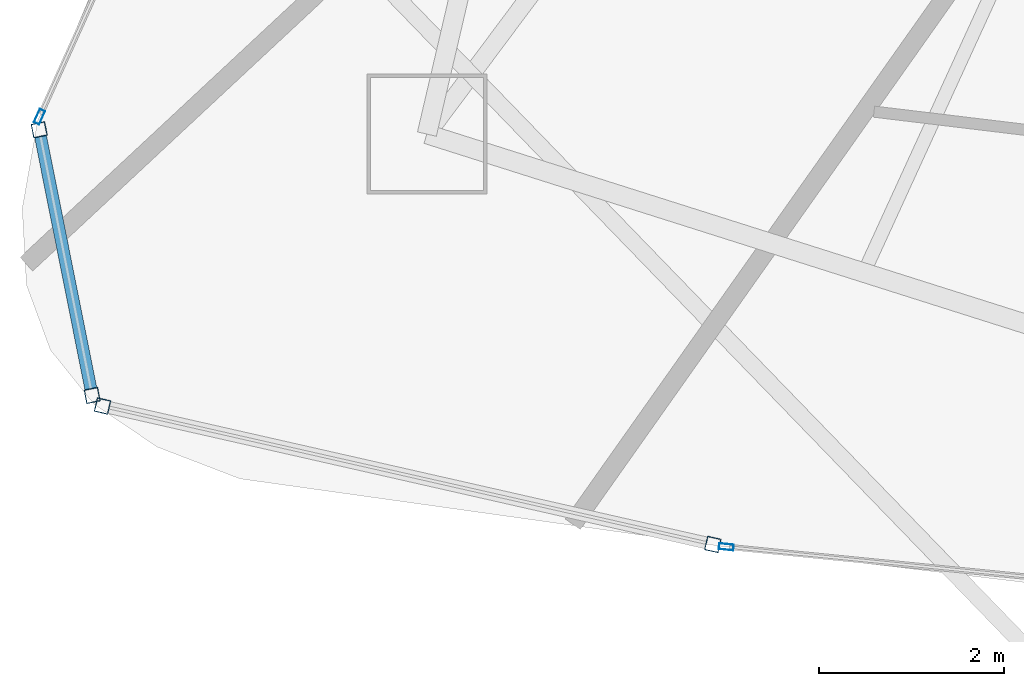
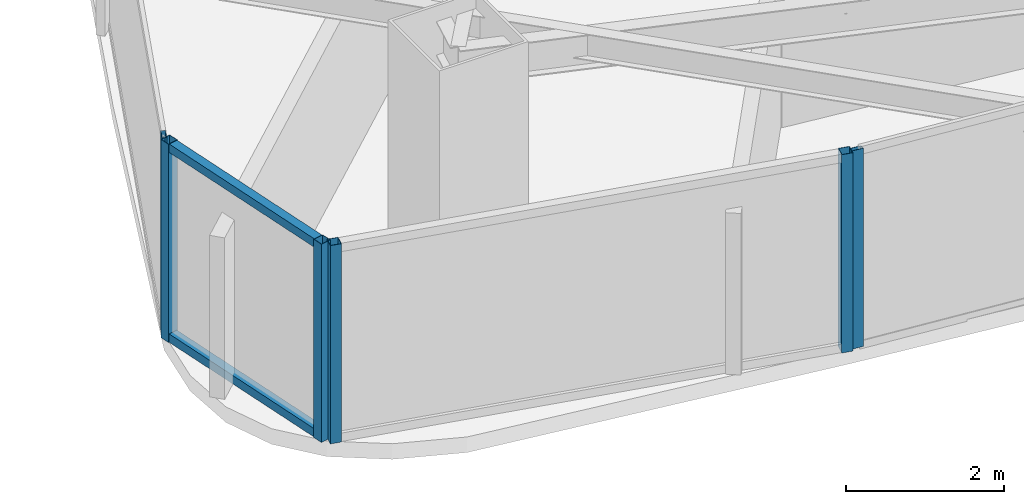
# One storey, part 2 of 32: 8 members, 4 elements without a shape of their own.
"""IFC4 building model written with IfcOpenShell, lengths in metres."""

from ifc_helpers import new_model, si_unit, direction, frame, origin, origin_2d, place, context, subcontext, project, spatial, hollow_rectangle, extrude, material, layer, layer_set, material_profile, profile_set, type_object, element, aggregate, save


model = new_model("IFC4")

# Units and contexts
model_context = context("Model", 3, precision=1e-05, world=origin(), true_north=direction((0.0, 1.0)))
body_context = subcontext(model_context, "Body", "Model", "MODEL_VIEW")
ifc_project = project(units=[si_unit("LENGTHUNIT", "METRE"), si_unit("AREAUNIT", "SQUARE_METRE"), si_unit("VOLUMEUNIT", "CUBIC_METRE"), si_unit("PLANEANGLEUNIT", "RADIAN"), si_unit("MASSUNIT", "GRAM", prefix="KILO")], contexts=[model_context])

# Site, building, storey
site_placement = place(None, origin())
site = spatial("IfcSite", under=ifc_project, at=site_placement, CompositionType="ELEMENT")
building_placement = place(site_placement, origin())
building = spatial("IfcBuilding", under=site, at=building_placement, Name="Orvanel Arch Residences", CompositionType="ELEMENT")
storey_placement = place(building_placement, frame((0.0, 0.0, 219.5)))
storey = spatial("IfcBuildingStorey", under=building, at=storey_placement, Name="L62", CompositionType="ELEMENT", Elevation=219.5)

# Curtain wall, members
ifc_material = material(Name="Bronze-anodised aluminium AA6063-T6", Category="aluminium")
ifc_layer_1 = layer(ifc_material, 0.18994140625)
ifc_layer_set_1 = layer_set([ifc_layer_1], Name="Bronze-anodised aluminium AA6063-T6")
curtain_wall_type_1 = type_object("IfcCurtainWallType", Name="CW5-CRN-SYS", PredefinedType="NOTDEFINED", material=ifc_layer_set_1)
curtain_wall_1_placement = place(storey_placement, origin())
curtain_wall_1 = element("IfcCurtainWall", 1, at=curtain_wall_1_placement, inside=storey, type_object=curtain_wall_type_1, Name="L62 CW5-CRN-SYS Unitised Curtain Wall", PredefinedType="NOTDEFINED")
ifc_material_profile_1 = material_profile(ifc_material, hollow_rectangle(XDim=0.14990234375, YDim=0.14990234375, WallThickness=0.0048828125, at=origin_2d()), Name="ALU150x150x5")
ifc_profile_set_1 = profile_set([ifc_material_profile_1], Name="Bronze-anodised aluminium AA6063-T6")
member_type_1 = type_object("IfcMemberType", Name="MUL-150x150", PredefinedType="MULLION", material=ifc_profile_set_1)
member_1_placement = place(storey_placement, frame((10.006591796875, 10.3974609375, 0.0), z_axis=(0.0, 0.0, 1.0), x_axis=(0.980705375633, 0.195491601364, 0.0)))
member_1 = element("IfcMember", 2, at=member_1_placement, type_object=member_type_1, Name="CW-S5 mullion 1", PredefinedType="MULLION", context=body_context, shape_type="SweptSolid", body=[
    extrude(hollow_rectangle(XDim=0.14990234375, YDim=0.14990234375, WallThickness=0.0048828125, at=origin_2d()), origin(), (0.0, 0.0, 1.0), 3.06005859375),
])
member_2_placement = place(storey_placement, frame((10.579345703125, 7.524658203125, 0.0), z_axis=(0.0, 0.0, 1.0), x_axis=(0.980705375633, 0.195491601364, 0.0)))
member_2 = element("IfcMember", 3, at=member_2_placement, type_object=member_type_1, Name="CW-S5 mullion 2", PredefinedType="MULLION", context=body_context, shape_type="SweptSolid", body=[
    extrude(hollow_rectangle(XDim=0.14990234375, YDim=0.14990234375, WallThickness=0.0048828125, at=origin_2d()), origin(), (0.0, 0.0, 1.0), 3.06005859375),
])

curtain_wall_2_placement = place(storey_placement, origin())
curtain_wall_2 = element("IfcCurtainWall", 4, at=curtain_wall_2_placement, inside=storey, type_object=curtain_wall_type_1, Name="L62 CW5-CRN-SYS Unitised Curtain Wall", PredefinedType="NOTDEFINED")
member_3_placement = place(storey_placement, frame((10.691162109375, 7.410400390625, 0.0), z_axis=(0.0, 0.0, 1.0), x_axis=(0.221183695553, 0.975232163549, 0.0)))
member_3 = element("IfcMember", 5, at=member_3_placement, type_object=member_type_1, Name="CW-S5 mullion 1", PredefinedType="MULLION", context=body_context, shape_type="SweptSolid", body=[
    extrude(hollow_rectangle(XDim=0.14990234375, YDim=0.14990234375, WallThickness=0.0048828125, at=origin_2d()), origin(), (0.0, 0.0, 1.0), 3.06005859375),
])
member_4_placement = place(storey_placement, frame((17.290771484375, 5.91357421875, 0.0), z_axis=(0.0, 0.0, 1.0), x_axis=(0.221183695553, 0.975232163549, 0.0)))
member_4 = element("IfcMember", 6, at=member_4_placement, type_object=member_type_1, Name="CW-S5 mullion 2", PredefinedType="MULLION", context=body_context, shape_type="SweptSolid", body=[
    extrude(hollow_rectangle(XDim=0.14990234375, YDim=0.14990234375, WallThickness=0.0048828125, at=origin_2d()), origin(), (0.0, 0.0, 1.0), 3.06005859375),
])
aggregate(curtain_wall_2, [member_3, member_4])

# Curtain wall, member
ifc_layer_2 = layer(ifc_material, 0.175048828125)
ifc_layer_set_2 = layer_set([ifc_layer_2], Name="Bronze-anodised aluminium AA6063-T6")
curtain_wall_type_2 = type_object("IfcCurtainWallType", Name="CW4-HI-SYS", PredefinedType="NOTDEFINED", material=ifc_layer_set_2)
curtain_wall_3_placement = place(storey_placement, origin())
curtain_wall_3 = element("IfcCurtainWall", 7, at=curtain_wall_3_placement, inside=storey, type_object=curtain_wall_type_2, Name="L62 CW4-HI-SYS Unitised Curtain Wall", PredefinedType="NOTDEFINED")
ifc_material_profile_2 = material_profile(ifc_material, hollow_rectangle(XDim=0.06494140625, YDim=0.159912109375, WallThickness=0.00390625, at=origin_2d()), Name="ALU160x65x4")
ifc_profile_set_2 = profile_set([ifc_material_profile_2], Name="Bronze-anodised aluminium AA6063-T6")
member_type_2 = type_object("IfcMemberType", Name="MUL-160x65", PredefinedType="MULLION", material=ifc_profile_set_2)
member_5_placement = place(storey_placement, frame((10.00927734375, 10.53857421875, 0.0), z_axis=(0.0, 0.0, 1.0), x_axis=(0.911480004164, -0.411344383709, 0.0)))
member_5 = element("IfcMember", 8, at=member_5_placement, type_object=member_type_2, Name="CW-S4 mullion 3", PredefinedType="MULLION", context=body_context, shape_type="SweptSolid", body=[
    extrude(hollow_rectangle(XDim=0.06494140625, YDim=0.159912109375, WallThickness=0.00390625, at=origin_2d()), origin(), (0.0, 0.0, 1.0), 3.06005859375),
])
aggregate(curtain_wall_3, [member_5])

curtain_wall_4_placement = place(storey_placement, origin())
curtain_wall_4 = element("IfcCurtainWall", 9, at=curtain_wall_4_placement, inside=storey, type_object=curtain_wall_type_2, Name="L62 CW4-HI-SYS Unitised Curtain Wall", PredefinedType="NOTDEFINED")
member_6_placement = place(storey_placement, frame((17.436279296875, 5.8876953125, 0.0), z_axis=(0.0, 0.0, 1.0), x_axis=(0.098838628636, 0.995103474765, 0.0)))
member_6 = element("IfcMember", 10, at=member_6_placement, type_object=member_type_2, Name="CW-S4 mullion 1", PredefinedType="MULLION", context=body_context, shape_type="SweptSolid", body=[
    extrude(hollow_rectangle(XDim=0.06494140625, YDim=0.159912109375, WallThickness=0.00390625, at=origin_2d()), origin(), (0.0, 0.0, 1.0), 3.06005859375),
])
aggregate(curtain_wall_4, [member_6])

# Member
ifc_material_profile_3 = material_profile(ifc_material, hollow_rectangle(XDim=0.1298828125, YDim=0.1298828125, WallThickness=0.00439453125, at=origin_2d()), Name="ALU130x130x4.5")
ifc_profile_set_3 = profile_set([ifc_material_profile_3], Name="Bronze-anodised aluminium AA6063-T6")
member_type_3 = type_object("IfcMemberType", Name="TRN-130x130", PredefinedType="USERDEFINED", material=ifc_profile_set_3)
member_7_placement = place(storey_placement, frame((10.021240234375, 10.323974609375, 0.06494140625), z_axis=(0.195524889739, -0.980698739416, 0.0), x_axis=(0.980698739416, 0.195524889739, 0.0)))
member_7 = element("IfcMember", 11, at=member_7_placement, type_object=member_type_3, Name="CW-S5 transom 1.1", ObjectType="TRANSOM", PredefinedType="USERDEFINED", context=body_context, shape_type="SweptSolid", body=[
    extrude(hollow_rectangle(XDim=0.1298828125, YDim=0.1298828125, WallThickness=0.00439453125, at=origin_2d()), origin(), (0.0, 0.0, 1.0), 2.779541015625),
])

member_8_placement = place(storey_placement, frame((10.021240234375, 10.323974609375, 2.9951171875), z_axis=(0.195524889739, -0.980698739416, 0.0), x_axis=(0.980698739416, 0.195524889739, 0.0)))
member_8 = element("IfcMember", 12, at=member_8_placement, type_object=member_type_3, Name="CW-S5 transom 1.2", ObjectType="TRANSOM", PredefinedType="USERDEFINED", context=body_context, shape_type="SweptSolid", body=[
    extrude(hollow_rectangle(XDim=0.1298828125, YDim=0.1298828125, WallThickness=0.00439453125, at=origin_2d()), origin(), (0.0, 0.0, 1.0), 2.779541015625),
])

aggregate(curtain_wall_1, [member_1, member_2, member_7, member_8])

save(model, "model.ifc")
